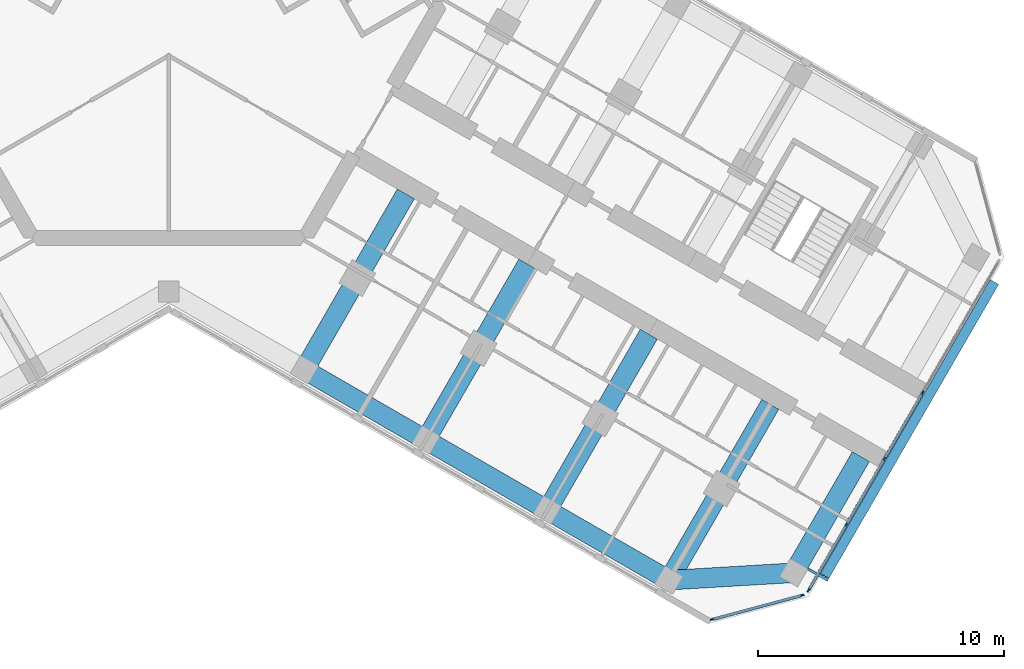
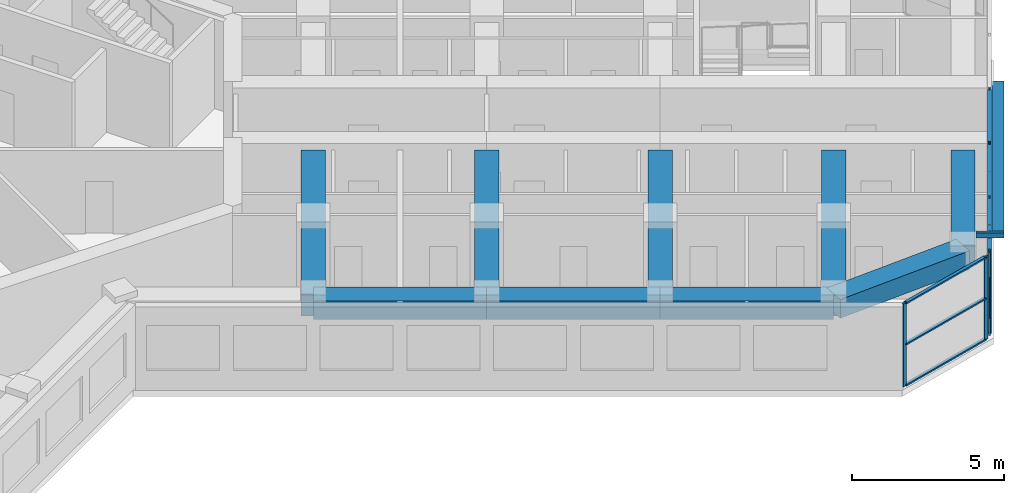
# One storey, part 4 of 16: 17 members, 9 beams, 2 elements without a shape of their own.
"""IFC4 building model written with IfcOpenShell, lengths in metres."""

from ifc_helpers import new_model, si_unit, direction, frame, origin, origin_2d, place, context, subcontext, project, spatial, rectangle, hollow_rectangle, extrude, material, material_profile, profile_set, type_object, element, aggregate, save


model = new_model("IFC4")

# Units and contexts
model_context = context("Model", 3, precision=1e-05, world=origin(), true_north=direction((0.0, 1.0)))
body_context = subcontext(model_context, "Body", "Model", "MODEL_VIEW")
ifc_project = project(units=[si_unit("LENGTHUNIT", "METRE"), si_unit("AREAUNIT", "SQUARE_METRE"), si_unit("VOLUMEUNIT", "CUBIC_METRE"), si_unit("PLANEANGLEUNIT", "RADIAN"), si_unit("MASSUNIT", "GRAM", prefix="KILO")], contexts=[model_context])

# Site, building, storey
site_placement = place(None, origin())
site = spatial("IfcSite", under=ifc_project, at=site_placement, CompositionType="ELEMENT")
building_placement = place(site_placement, origin())
building = spatial("IfcBuilding", under=site, at=building_placement, Name="Kosmar Iwan School Tower", CompositionType="ELEMENT")
storey_placement = place(building_placement, frame((0.0, 0.0, 242.39990234375)))
storey = spatial("IfcBuildingStorey", under=building, at=storey_placement, Name="L61", CompositionType="ELEMENT", Elevation=242.39990234375)

# Members
ifc_material_1 = material(Name="Black anodised aluminium", Category="aluminium")
ifc_material_profile_1 = material_profile(ifc_material_1, rectangle(XDim=0.10009765625, YDim=0.39990234375, at=origin_2d()), Name="FIN 100x400")
ifc_profile_set_1 = profile_set([ifc_material_profile_1], Name="Black anodised aluminium")
member_type_1 = type_object("IfcMemberType", Name="Diagonal fin 100x400", PredefinedType="USERDEFINED", material=ifc_profile_set_1)
member_1_placement = place(storey_placement, frame((33.54345703125, -11.40087890625, -0.14990234375), z_axis=(-0.483793446988, -0.837970316603, 0.25248692866), x_axis=(0.126241714543, 0.218661104574, 0.96760030532)))
element("IfcMember", 1, at=member_1_placement, inside=storey, type_object=member_type_1, Name="Diagonal fin L61-F01", ObjectType="FIN", PredefinedType="USERDEFINED", context=body_context, shape_type="SweptSolid", body=[
    extrude(rectangle(XDim=0.10009765625, YDim=0.39990234375, at=origin_2d()), origin(), (0.0, 0.0, 1.0), 14.258544921875),
])
ifc_material_2 = material(Name="Steel S355", Category="steel")
ifc_material_profile_2 = material_profile(ifc_material_2, hollow_rectangle(XDim=0.10009765625, YDim=0.199951171875, WallThickness=0.008056640625, at=origin_2d()), Name="RHS 200x100x8")
ifc_profile_set_2 = profile_set([ifc_material_profile_2], Name="Steel S355")
member_type_2 = type_object("IfcMemberType", Name="Fin bracket RHS 200x100", PredefinedType="USERDEFINED", material=ifc_profile_set_2)
member_2_placement = place(storey_placement, frame((25.97900390625, -23.052978515625, 3.47509765625), z_axis=(0.865943820382, -0.500141279983, 0.0), x_axis=(0.500141279983, 0.865943820382, 0.0)))
element("IfcMember", 2, at=member_2_placement, inside=storey, type_object=member_type_2, Name="Fin bracket L62", ObjectType="FIN BRACKET", PredefinedType="USERDEFINED", context=body_context, shape_type="SweptSolid", body=[
    extrude(hollow_rectangle(XDim=0.10009765625, YDim=0.199951171875, WallThickness=0.008056640625, at=origin_2d()), origin(), (0.0, 0.0, 1.0), 0.925048828125),
])

# Curtain wall, members
ifc_material_3 = material(Name="Dark glass in black aluminium frame", Category="aluminium")
curtain_wall_type_1 = type_object("IfcCurtainWallType", Name="Chamfer curtain wall dark glass", PredefinedType="USERDEFINED", material=ifc_material_3)
curtain_wall_1_placement = place(storey_placement, origin())
curtain_wall_1 = element("IfcCurtainWall", 3, at=curtain_wall_1_placement, inside=storey, type_object=curtain_wall_type_1, Name="Curtain wall L61-F00", ObjectType="FACETED CURTAIN WALL", PredefinedType="USERDEFINED")
ifc_material_4 = material(Name="Black anodised aluminium", Category="aluminium")
ifc_material_profile_3 = material_profile(ifc_material_4, rectangle(XDim=0.06005859375, YDim=0.159912109375, at=origin_2d()), Name="MULLION 60x160")
ifc_profile_set_3 = profile_set([ifc_material_profile_3], Name="Black anodised aluminium")
member_type_3 = type_object("IfcMemberType", Name="Mullion 60x160", PredefinedType="MULLION", material=ifc_profile_set_3)
member_3_placement = place(storey_placement, frame((22.0830078125, -25.102294921875, 0.0), z_axis=(0.0, 0.0, 1.0), x_axis=(-0.258818861462, 0.965925875495, 0.0)))
member_3 = element("IfcMember", 4, at=member_3_placement, type_object=member_type_3, Name="CW2 mullion 1", PredefinedType="MULLION", context=body_context, shape_type="SweptSolid", body=[
    extrude(rectangle(XDim=0.06005859375, YDim=0.159912109375, at=origin_2d()), origin(), (0.0, 0.0, 1.0), 3.35009765625),
])
member_4_placement = place(storey_placement, frame((25.733154296875, -24.124267578125, 0.0), z_axis=(0.0, 0.0, 1.0), x_axis=(-0.258818861462, 0.965925875495, 0.0)))
member_4 = element("IfcMember", 5, at=member_4_placement, type_object=member_type_3, Name="CW2 mullion 2", PredefinedType="MULLION", context=body_context, shape_type="SweptSolid", body=[
    extrude(rectangle(XDim=0.06005859375, YDim=0.159912109375, at=origin_2d()), origin(), (0.0, 0.0, 1.0), 3.35009765625),
])

ifc_material_5 = material(Name="Dark glass in black aluminium frame", Category="aluminium")
curtain_wall_type_2 = type_object("IfcCurtainWallType", Name="Tower curtain wall dark glass", PredefinedType="USERDEFINED", material=ifc_material_5)
curtain_wall_2_placement = place(storey_placement, origin())
curtain_wall_2 = element("IfcCurtainWall", 6, at=curtain_wall_2_placement, inside=storey, type_object=curtain_wall_type_2, Name="Curtain wall L61-F01", ObjectType="UNITISED CURTAIN WALL", PredefinedType="USERDEFINED")
member_5_placement = place(storey_placement, frame((25.9970703125, -23.921630859375, 0.0), z_axis=(0.0, 0.0, 1.0), x_axis=(-0.866025405329, 0.499999997325, 0.0)))
member_5 = element("IfcMember", 7, at=member_5_placement, type_object=member_type_3, Name="CW1 mullion 1", PredefinedType="MULLION", context=body_context, shape_type="SweptSolid", body=[
    extrude(rectangle(XDim=0.06005859375, YDim=0.159912109375, at=origin_2d()), origin(), (0.0, 0.0, 1.0), 3.35009765625),
])
member_6_placement = place(storey_placement, frame((27.53173828125, -21.263671875, 0.0), z_axis=(0.0, 0.0, 1.0), x_axis=(-0.866025405329, 0.499999997325, 0.0)))
member_6 = element("IfcMember", 8, at=member_6_placement, type_object=member_type_3, Name="CW1 mullion 2", PredefinedType="MULLION", context=body_context, shape_type="SweptSolid", body=[
    extrude(rectangle(XDim=0.06005859375, YDim=0.159912109375, at=origin_2d()), origin(), (0.0, 0.0, 1.0), 3.35009765625),
])
member_7_placement = place(storey_placement, frame((29.081298828125, -18.57958984375, 0.0), z_axis=(0.0, 0.0, 1.0), x_axis=(-0.866025405329, 0.499999997325, 0.0)))
member_7 = element("IfcMember", 9, at=member_7_placement, type_object=member_type_3, Name="CW1 mullion 3", PredefinedType="MULLION", context=body_context, shape_type="SweptSolid", body=[
    extrude(rectangle(XDim=0.06005859375, YDim=0.159912109375, at=origin_2d()), origin(), (0.0, 0.0, 1.0), 3.35009765625),
])
member_8_placement = place(storey_placement, frame((30.631103515625, -15.8955078125, 0.0), z_axis=(0.0, 0.0, 1.0), x_axis=(-0.866025405329, 0.499999997325, 0.0)))
member_8 = element("IfcMember", 10, at=member_8_placement, type_object=member_type_3, Name="CW1 mullion 4", PredefinedType="MULLION", context=body_context, shape_type="SweptSolid", body=[
    extrude(rectangle(XDim=0.06005859375, YDim=0.159912109375, at=origin_2d()), origin(), (0.0, 0.0, 1.0), 3.35009765625),
])

# Beams
ifc_material_6 = material(Name="Concrete C50/60", Category="concrete")
ifc_material_profile_4 = material_profile(ifc_material_6, rectangle(XDim=0.800048828125, YDim=0.75, at=origin_2d()), Name="RC 800x750")
ifc_profile_set_4 = profile_set([ifc_material_profile_4], Name="Concrete C50/60")
beam_type_1 = type_object("IfcBeamType", Name="RC edge beam 800x750", PredefinedType="BEAM", material=ifc_profile_set_4)
beam_1_placement = place(storey_placement, frame((5.5087890625, -14.95849609375, 2.97509765625), z_axis=(0.866033658841, -0.49998570155, 0.0), x_axis=(0.49998570155, 0.866033658841, 0.0)))
element("IfcBeam", 11, at=beam_1_placement, inside=storey, type_object=beam_type_1, Name="Edge beam CR2", PredefinedType="BEAM", context=body_context, shape_type="SweptSolid", body=[
    extrude(rectangle(XDim=0.800048828125, YDim=0.75, at=origin_2d()), origin(), (0.0, 0.0, 1.0), 5.699951171875),
])
beam_2_placement = place(storey_placement, frame((10.445068359375, -17.808349609375, 2.97509765625), z_axis=(0.866025820012, -0.499999279071, 0.0), x_axis=(0.499999279071, 0.866025820012, 0.0)))
element("IfcBeam", 12, at=beam_2_placement, inside=storey, type_object=beam_type_1, Name="Edge beam CR3", PredefinedType="BEAM", context=body_context, shape_type="SweptSolid", body=[
    extrude(rectangle(XDim=0.800048828125, YDim=0.75, at=origin_2d()), origin(), (0.0, 0.0, 1.0), 5.7001953125),
])
beam_3_placement = place(storey_placement, frame((15.381591796875, -20.658447265625, 2.97509765625), z_axis=(0.866015111908, -0.50001782563, 0.0), x_axis=(0.50001782563, 0.866015111908, 0.0)))
element("IfcBeam", 13, at=beam_3_placement, inside=storey, type_object=beam_type_1, Name="Edge beam CR4", PredefinedType="BEAM", context=body_context, shape_type="SweptSolid", body=[
    extrude(rectangle(XDim=0.800048828125, YDim=0.75, at=origin_2d()), origin(), (0.0, 0.0, 1.0), 5.699951171875),
])
ifc_material_7 = material(Name="Concrete C50/60", Category="concrete")
ifc_material_profile_5 = material_profile(ifc_material_7, rectangle(XDim=0.800048828125, YDim=0.75, at=origin_2d()), Name="RC 800x750")
ifc_profile_set_5 = profile_set([ifc_material_profile_5], Name="Concrete C50/60")
beam_type_2 = type_object("IfcBeamType", Name="RC tip beam 800x750", PredefinedType="BEAM", material=ifc_profile_set_5)
beam_4_placement = place(storey_placement, frame((20.31787109375, -23.508544921875, 2.97509765625), z_axis=(0.998260616478, 0.058955420358, 0.0), x_axis=(-0.058955420358, 0.998260616478, 0.0)))
element("IfcBeam", 14, at=beam_4_placement, inside=storey, type_object=beam_type_2, Name="Tip beam CR", PredefinedType="BEAM", context=body_context, shape_type="SweptSolid", body=[
    extrude(rectangle(XDim=0.800048828125, YDim=0.75, at=origin_2d()), origin(), (0.0, 0.0, 1.0), 5.08935546875),
])
beam_5_placement = place(storey_placement, frame((25.3984375, -23.20849609375, 2.97509765625), z_axis=(0.500022328685, 0.866012511928, 0.0), x_axis=(-0.866012511928, 0.500022328685, 0.0)))
element("IfcBeam", 15, at=beam_5_placement, inside=storey, type_object=beam_type_2, Name="Tip beam CR to corridor wall", PredefinedType="BEAM", context=body_context, shape_type="SweptSolid", body=[
    extrude(rectangle(XDim=0.800048828125, YDim=0.75, at=origin_2d()), origin(), (0.0, 0.0, 1.0), 5.449951171875),
])
ifc_material_8 = material(Name="Concrete C50/60", Category="concrete")
ifc_material_profile_6 = material_profile(ifc_material_8, rectangle(XDim=0.800048828125, YDim=0.89990234375, at=origin_2d()), Name="RC 800x900")
ifc_profile_set_6 = profile_set([ifc_material_profile_6], Name="Concrete C50/60")
beam_type_3 = type_object("IfcBeamType", Name="RC transverse beam 800x900", PredefinedType="BEAM", material=ifc_profile_set_6)
beam_6_placement = place(storey_placement, frame((5.5087890625, -14.95849609375, 2.900146484375), z_axis=(0.499996545922, 0.866027397988, 0.0), x_axis=(-0.866027397988, 0.499996545922, 0.0)))
element("IfcBeam", 16, at=beam_6_placement, inside=storey, type_object=beam_type_3, Name="Transverse beam CR1", PredefinedType="BEAM", context=body_context, shape_type="SweptSolid", body=[
    extrude(rectangle(XDim=0.800048828125, YDim=0.89990234375, at=origin_2d()), origin(), (0.0, 0.0, 1.0), 8.25),
])
beam_7_placement = place(storey_placement, frame((10.445068359375, -17.808349609375, 2.900146484375), z_axis=(0.500009360108, 0.866019999656, 0.0), x_axis=(-0.866019999656, 0.500009360108, 0.0)))
element("IfcBeam", 17, at=beam_7_placement, inside=storey, type_object=beam_type_3, Name="Transverse beam CR2", PredefinedType="BEAM", context=body_context, shape_type="SweptSolid", body=[
    extrude(rectangle(XDim=0.800048828125, YDim=0.89990234375, at=origin_2d()), origin(), (0.0, 0.0, 1.0), 8.249755859375),
])
for number, where, z_axis, x_axis, name in (
    (18, (15.381591796875, -20.658447265625, 2.900146484375), (0.499996545922, 0.866027397988, 0.0), (-0.866027397988, 0.499996545922, 0.0), "Transverse beam CR3"),
    (19, (20.31787109375, -23.508544921875, 2.900146484375), (0.499996545922, 0.866027397988, 0.0), (-0.866027397988, 0.499996545922, 0.0), "Transverse beam CR4"),
):
    element("IfcBeam", number, at=place(storey_placement, frame(where, z_axis=z_axis, x_axis=x_axis)), inside=storey, type_object=beam_type_3, Name=name, PredefinedType="BEAM", context=body_context, shape_type="SweptSolid", body=[
        extrude(rectangle(XDim=0.800048828125, YDim=0.89990234375, at=origin_2d()), origin(), (0.0, 0.0, 1.0), 8.25),
    ])

# Member
ifc_material_9 = material(Name="Black anodised aluminium", Category="aluminium")
ifc_material_profile_7 = material_profile(ifc_material_9, rectangle(XDim=0.1201171875, YDim=0.06005859375, at=origin_2d()), Name="TRANSOM 60x120")
ifc_profile_set_7 = profile_set([ifc_material_profile_7], Name="Black anodised aluminium")
member_type_4 = type_object("IfcMemberType", Name="Transom 60x120", PredefinedType="USERDEFINED", material=ifc_profile_set_7)
member_9_placement = place(storey_placement, frame((22.11181640625, -25.094482421875, 0.030029296875), z_axis=(0.965923731726, 0.258826861991, 0.0), x_axis=(-0.258826861991, 0.965923731726, 0.0)))
member_9 = element("IfcMember", 20, at=member_9_placement, type_object=member_type_4, Name="CW2 transom 1.1", ObjectType="TRANSOM", PredefinedType="USERDEFINED", context=body_context, shape_type="SweptSolid", body=[
    extrude(rectangle(XDim=0.1201171875, YDim=0.06005859375, at=origin_2d()), origin(), (0.0, 0.0, 1.0), 3.71923828125),
])

member_10_placement = place(storey_placement, frame((22.11181640625, -25.094482421875, 1.675048828125), z_axis=(0.965923731726, 0.258826861991, 0.0), x_axis=(-0.258826861991, 0.965923731726, 0.0)))
member_10 = element("IfcMember", 21, at=member_10_placement, type_object=member_type_4, Name="CW2 transom 1.2", ObjectType="TRANSOM", PredefinedType="USERDEFINED", context=body_context, shape_type="SweptSolid", body=[
    extrude(rectangle(XDim=0.1201171875, YDim=0.06005859375, at=origin_2d()), origin(), (0.0, 0.0, 1.0), 3.71923828125),
])

member_11_placement = place(storey_placement, frame((22.11181640625, -25.094482421875, 3.320068359375), z_axis=(0.965923731726, 0.258826861991, 0.0), x_axis=(-0.258826861991, 0.965923731726, 0.0)))
member_11 = element("IfcMember", 22, at=member_11_placement, type_object=member_type_4, Name="CW2 transom 1.3", ObjectType="TRANSOM", PredefinedType="USERDEFINED", context=body_context, shape_type="SweptSolid", body=[
    extrude(rectangle(XDim=0.1201171875, YDim=0.06005859375, at=origin_2d()), origin(), (0.0, 0.0, 1.0), 3.71923828125),
])

aggregate(curtain_wall_1, [member_3, member_4, member_9, member_10, member_11])

member_12_placement = place(storey_placement, frame((26.01220703125, -23.895751953125, 0.030029296875), z_axis=(0.499986971506, 0.866032925658, 0.0), x_axis=(-0.866032925658, 0.499986971506, 0.0)))
member_12 = element("IfcMember", 23, at=member_12_placement, type_object=member_type_4, Name="CW1 transom 1.1", ObjectType="TRANSOM", PredefinedType="USERDEFINED", context=body_context, shape_type="SweptSolid", body=[
    extrude(rectangle(XDim=0.1201171875, YDim=0.06005859375, at=origin_2d()), origin(), (0.0, 0.0, 1.0), 3.00927734375),
])

member_13_placement = place(storey_placement, frame((26.01220703125, -23.895751953125, 3.320068359375), z_axis=(0.499986971506, 0.866032925658, 0.0), x_axis=(-0.866032925658, 0.499986971506, 0.0)))
member_13 = element("IfcMember", 24, at=member_13_placement, type_object=member_type_4, Name="CW1 transom 1.2", ObjectType="TRANSOM", PredefinedType="USERDEFINED", context=body_context, shape_type="SweptSolid", body=[
    extrude(rectangle(XDim=0.1201171875, YDim=0.06005859375, at=origin_2d()), origin(), (0.0, 0.0, 1.0), 3.00927734375),
])

member_14_placement = place(storey_placement, frame((27.546875, -21.237548828125, 0.030029296875), z_axis=(0.499975102327, 0.866039777986, 0.0), x_axis=(-0.866039777986, 0.499975102327, 0.0)))
member_14 = element("IfcMember", 25, at=member_14_placement, type_object=member_type_4, Name="CW1 transom 2.1", ObjectType="TRANSOM", PredefinedType="USERDEFINED", context=body_context, shape_type="SweptSolid", body=[
    extrude(rectangle(XDim=0.1201171875, YDim=0.06005859375, at=origin_2d()), origin(), (0.0, 0.0, 1.0), 3.039306640625),
])

member_15_placement = place(storey_placement, frame((27.546875, -21.237548828125, 3.320068359375), z_axis=(0.499975102327, 0.866039777986, 0.0), x_axis=(-0.866039777986, 0.499975102327, 0.0)))
member_15 = element("IfcMember", 26, at=member_15_placement, type_object=member_type_4, Name="CW1 transom 2.2", ObjectType="TRANSOM", PredefinedType="USERDEFINED", context=body_context, shape_type="SweptSolid", body=[
    extrude(rectangle(XDim=0.1201171875, YDim=0.06005859375, at=origin_2d()), origin(), (0.0, 0.0, 1.0), 3.039306640625),
])

member_16_placement = place(storey_placement, frame((29.096435546875, -18.553466796875, 0.030029296875), z_axis=(0.499975102327, 0.866039777986, 0.0), x_axis=(-0.866039777986, 0.499975102327, 0.0)))
member_16 = element("IfcMember", 27, at=member_16_placement, type_object=member_type_4, Name="CW1 transom 3.1", ObjectType="TRANSOM", PredefinedType="USERDEFINED", context=body_context, shape_type="SweptSolid", body=[
    extrude(rectangle(XDim=0.1201171875, YDim=0.06005859375, at=origin_2d()), origin(), (0.0, 0.0, 1.0), 3.039306640625),
])

member_17_placement = place(storey_placement, frame((29.096435546875, -18.553466796875, 3.320068359375), z_axis=(0.499975102327, 0.866039777986, 0.0), x_axis=(-0.866039777986, 0.499975102327, 0.0)))
member_17 = element("IfcMember", 28, at=member_17_placement, type_object=member_type_4, Name="CW1 transom 3.2", ObjectType="TRANSOM", PredefinedType="USERDEFINED", context=body_context, shape_type="SweptSolid", body=[
    extrude(rectangle(XDim=0.1201171875, YDim=0.06005859375, at=origin_2d()), origin(), (0.0, 0.0, 1.0), 3.039306640625),
])

aggregate(curtain_wall_2, [member_5, member_6, member_7, member_8, member_12, member_13, member_14, member_15, member_16, member_17])

save(model, "model.ifc")
